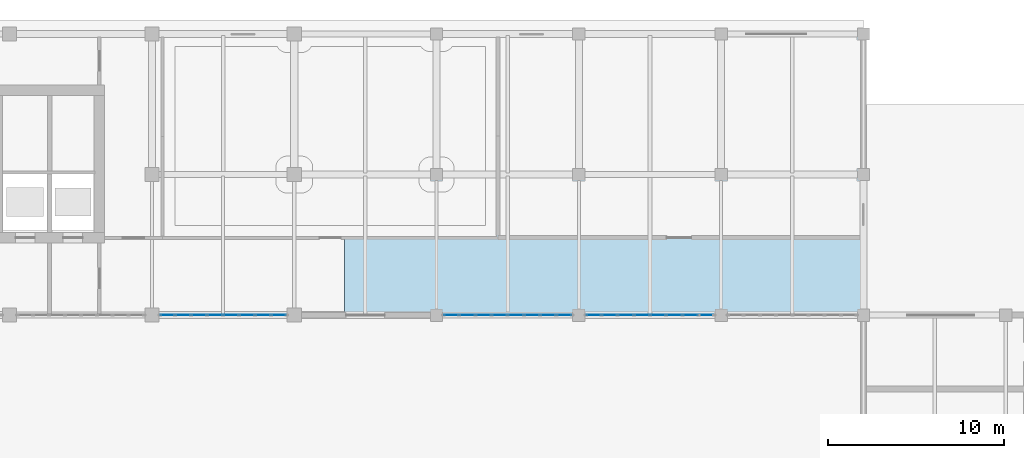
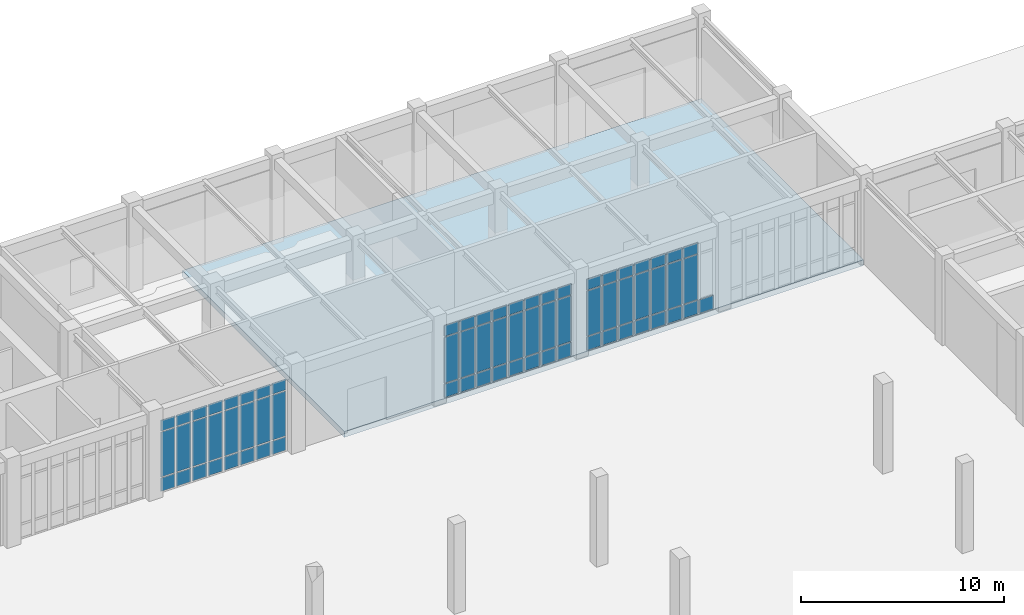
# One storey, part 38 of 62: 70 plates, 1 slab, 3 elements without a shape of their own.
"""IFC4 building model written with IfcOpenShell, lengths in metres."""

from ifc_helpers import new_model, si_unit, direction, frame, origin, origin_2d, place, context, subcontext, project, spatial, polyline, rectangle, outline, extrude, material, layer, layer_set, type_object, element, aggregate, save


model = new_model("IFC4")

# Units and contexts
model_context = context("Model", 3, precision=1e-05, world=origin(), true_north=direction((0.0, 1.0)))
body_context = subcontext(model_context, "Body", "Model", "MODEL_VIEW")
ifc_project = project(units=[si_unit("LENGTHUNIT", "METRE"), si_unit("AREAUNIT", "SQUARE_METRE"), si_unit("VOLUMEUNIT", "CUBIC_METRE"), si_unit("PLANEANGLEUNIT", "RADIAN"), si_unit("MASSUNIT", "GRAM", prefix="KILO")], contexts=[model_context])

# Site, building, storey
site_placement = place(None, origin())
site = spatial("IfcSite", under=ifc_project, at=site_placement, CompositionType="ELEMENT")
building_placement = place(site_placement, origin())
building = spatial("IfcBuilding", under=site, at=building_placement, Name="Tarnveldt Square Police Headquarters", CompositionType="ELEMENT")
storey_placement = place(building_placement, origin())
storey = spatial("IfcBuildingStorey", under=building, at=storey_placement, Name="L00", CompositionType="ELEMENT", Elevation=0.0)

# Curtain wall, plates
ifc_material_1 = material(Name="Triple-glazed low-e laminated vision glass", Category="glass")
curtain_wall_type_1 = type_object("IfcCurtainWallType", Name="CW-LB-727x441", PredefinedType="USERDEFINED", material=ifc_material_1)
curtain_wall_1_placement = place(storey_placement, origin())
curtain_wall_1 = element("IfcCurtainWall", 1, at=curtain_wall_1_placement, inside=storey, type_object=curtain_wall_type_1, Name="L00 Curtain Wall CW-L00-101", ObjectType="GLAZED CURTAIN WALL", PredefinedType="USERDEFINED")
ifc_layer_1 = layer(ifc_material_1, 0.028076171875)
ifc_layer_set_1 = layer_set([ifc_layer_1], Name="Triple-glazed low-e laminated vision glass")
plate_type = type_object("IfcPlateType", Name="CWP-VIS-28", PredefinedType="CURTAIN_PANEL", material=ifc_layer_set_1)
plate_1_placement = place(storey_placement, frame((65.688232421875, 96.0, 0.06494140625), z_axis=(0.0, 0.0, 1.0), x_axis=(1.0, 0.0, 0.0)))
plate_1 = element("IfcPlate", 2, at=plate_1_placement, type_object=plate_type, Name="CW-LB56 panel 1.1", PredefinedType="CURTAIN_PANEL", context=body_context, shape_type="SweptSolid", body=[
    extrude(rectangle(XDim=0.796142578125, YDim=0.028076171875, at=origin_2d()), origin(), (0.0, 0.0, 1.0), 0.802490234375),
])
plate_2_placement = place(storey_placement, frame((65.688232421875, 96.0, 0.9326171875), z_axis=(0.0, 0.0, 1.0), x_axis=(1.0, 0.0, 0.0)))
plate_2 = element("IfcPlate", 3, at=plate_2_placement, type_object=plate_type, Name="CW-LB56 panel 1.2", PredefinedType="CURTAIN_PANEL", context=body_context, shape_type="SweptSolid", body=[
    extrude(rectangle(XDim=0.796142578125, YDim=0.028076171875, at=origin_2d()), origin(), (0.0, 0.0, 1.0), 2.697021484375),
])
plate_3_placement = place(storey_placement, frame((65.688232421875, 96.0, 3.6943359375), z_axis=(0.0, 0.0, 1.0), x_axis=(1.0, 0.0, 0.0)))
plate_3 = element("IfcPlate", 4, at=plate_3_placement, type_object=plate_type, Name="CW-LB56 panel 1.3", PredefinedType="CURTAIN_PANEL", context=body_context, shape_type="SweptSolid", body=[
    extrude(rectangle(XDim=0.796142578125, YDim=0.028076171875, at=origin_2d()), origin(), (0.0, 0.0, 1.0), 0.652587890625),
])
plate_4_placement = place(storey_placement, frame((66.578125, 96.0, 0.06494140625), z_axis=(0.0, 0.0, 1.0), x_axis=(1.0, 0.0, 0.0)))
plate_4 = element("IfcPlate", 5, at=plate_4_placement, type_object=plate_type, Name="CW-LB56 panel 2.1", PredefinedType="CURTAIN_PANEL", context=body_context, shape_type="SweptSolid", body=[
    extrude(rectangle(XDim=0.833740234375, YDim=0.028076171875, at=origin_2d()), origin(), (0.0, 0.0, 1.0), 0.802490234375),
])
plate_5_placement = place(storey_placement, frame((66.578125, 96.0, 0.9326171875), z_axis=(0.0, 0.0, 1.0), x_axis=(1.0, 0.0, 0.0)))
plate_5 = element("IfcPlate", 6, at=plate_5_placement, type_object=plate_type, Name="CW-LB56 panel 2.2", PredefinedType="CURTAIN_PANEL", context=body_context, shape_type="SweptSolid", body=[
    extrude(rectangle(XDim=0.833740234375, YDim=0.028076171875, at=origin_2d()), origin(), (0.0, 0.0, 1.0), 2.697021484375),
])
plate_6_placement = place(storey_placement, frame((66.578125, 96.0, 3.6943359375), z_axis=(0.0, 0.0, 1.0), x_axis=(1.0, 0.0, 0.0)))
plate_6 = element("IfcPlate", 7, at=plate_6_placement, type_object=plate_type, Name="CW-LB56 panel 2.3", PredefinedType="CURTAIN_PANEL", context=body_context, shape_type="SweptSolid", body=[
    extrude(rectangle(XDim=0.833740234375, YDim=0.028076171875, at=origin_2d()), origin(), (0.0, 0.0, 1.0), 0.652587890625),
])
plate_7_placement = place(storey_placement, frame((67.48681640625, 96.0, 0.06494140625), z_axis=(0.0, 0.0, 1.0), x_axis=(1.0, 0.0, 0.0)))
plate_7 = element("IfcPlate", 8, at=plate_7_placement, type_object=plate_type, Name="CW-LB56 panel 3.1", PredefinedType="CURTAIN_PANEL", context=body_context, shape_type="SweptSolid", body=[
    extrude(rectangle(XDim=0.833740234375, YDim=0.028076171875, at=origin_2d()), origin(), (0.0, 0.0, 1.0), 0.802490234375),
])
plate_8_placement = place(storey_placement, frame((67.48681640625, 96.0, 0.9326171875), z_axis=(0.0, 0.0, 1.0), x_axis=(1.0, 0.0, 0.0)))
plate_8 = element("IfcPlate", 9, at=plate_8_placement, type_object=plate_type, Name="CW-LB56 panel 3.2", PredefinedType="CURTAIN_PANEL", context=body_context, shape_type="SweptSolid", body=[
    extrude(rectangle(XDim=0.833740234375, YDim=0.028076171875, at=origin_2d()), origin(), (0.0, 0.0, 1.0), 2.697021484375),
])
plate_9_placement = place(storey_placement, frame((67.48681640625, 96.0, 3.6943359375), z_axis=(0.0, 0.0, 1.0), x_axis=(1.0, 0.0, 0.0)))
plate_9 = element("IfcPlate", 10, at=plate_9_placement, type_object=plate_type, Name="CW-LB56 panel 3.3", PredefinedType="CURTAIN_PANEL", context=body_context, shape_type="SweptSolid", body=[
    extrude(rectangle(XDim=0.833740234375, YDim=0.028076171875, at=origin_2d()), origin(), (0.0, 0.0, 1.0), 0.652587890625),
])
plate_10_placement = place(storey_placement, frame((68.3955078125, 96.0, 0.06494140625), z_axis=(0.0, 0.0, 1.0), x_axis=(1.0, 0.0, 0.0)))
plate_10 = element("IfcPlate", 11, at=plate_10_placement, type_object=plate_type, Name="CW-LB56 panel 4.1", PredefinedType="CURTAIN_PANEL", context=body_context, shape_type="SweptSolid", body=[
    extrude(rectangle(XDim=0.833740234375, YDim=0.028076171875, at=origin_2d()), origin(), (0.0, 0.0, 1.0), 0.802490234375),
])
plate_11_placement = place(storey_placement, frame((68.3955078125, 96.0, 0.9326171875), z_axis=(0.0, 0.0, 1.0), x_axis=(1.0, 0.0, 0.0)))
plate_11 = element("IfcPlate", 12, at=plate_11_placement, type_object=plate_type, Name="CW-LB56 panel 4.2", PredefinedType="CURTAIN_PANEL", context=body_context, shape_type="SweptSolid", body=[
    extrude(rectangle(XDim=0.833740234375, YDim=0.028076171875, at=origin_2d()), origin(), (0.0, 0.0, 1.0), 2.697021484375),
])
plate_12_placement = place(storey_placement, frame((68.3955078125, 96.0, 3.6943359375), z_axis=(0.0, 0.0, 1.0), x_axis=(1.0, 0.0, 0.0)))
plate_12 = element("IfcPlate", 13, at=plate_12_placement, type_object=plate_type, Name="CW-LB56 panel 4.3", PredefinedType="CURTAIN_PANEL", context=body_context, shape_type="SweptSolid", body=[
    extrude(rectangle(XDim=0.833740234375, YDim=0.028076171875, at=origin_2d()), origin(), (0.0, 0.0, 1.0), 0.652587890625),
])
plate_13_placement = place(storey_placement, frame((69.304443359375, 96.0, 0.06494140625), z_axis=(0.0, 0.0, 1.0), x_axis=(1.0, 0.0, 0.0)))
plate_13 = element("IfcPlate", 14, at=plate_13_placement, type_object=plate_type, Name="CW-LB56 panel 5.1", PredefinedType="CURTAIN_PANEL", context=body_context, shape_type="SweptSolid", body=[
    extrude(rectangle(XDim=0.833740234375, YDim=0.028076171875, at=origin_2d()), origin(), (0.0, 0.0, 1.0), 0.802490234375),
])
plate_14_placement = place(storey_placement, frame((69.304443359375, 96.0, 0.9326171875), z_axis=(0.0, 0.0, 1.0), x_axis=(1.0, 0.0, 0.0)))
plate_14 = element("IfcPlate", 15, at=plate_14_placement, type_object=plate_type, Name="CW-LB56 panel 5.2", PredefinedType="CURTAIN_PANEL", context=body_context, shape_type="SweptSolid", body=[
    extrude(rectangle(XDim=0.833740234375, YDim=0.028076171875, at=origin_2d()), origin(), (0.0, 0.0, 1.0), 2.697021484375),
])
plate_15_placement = place(storey_placement, frame((69.304443359375, 96.0, 3.6943359375), z_axis=(0.0, 0.0, 1.0), x_axis=(1.0, 0.0, 0.0)))
plate_15 = element("IfcPlate", 16, at=plate_15_placement, type_object=plate_type, Name="CW-LB56 panel 5.3", PredefinedType="CURTAIN_PANEL", context=body_context, shape_type="SweptSolid", body=[
    extrude(rectangle(XDim=0.833740234375, YDim=0.028076171875, at=origin_2d()), origin(), (0.0, 0.0, 1.0), 0.652587890625),
])
plate_16_placement = place(storey_placement, frame((70.213134765625, 96.0, 0.06494140625), z_axis=(0.0, 0.0, 1.0), x_axis=(1.0, 0.0, 0.0)))
plate_16 = element("IfcPlate", 17, at=plate_16_placement, type_object=plate_type, Name="CW-LB56 panel 6.1", PredefinedType="CURTAIN_PANEL", context=body_context, shape_type="SweptSolid", body=[
    extrude(rectangle(XDim=0.833740234375, YDim=0.028076171875, at=origin_2d()), origin(), (0.0, 0.0, 1.0), 0.802490234375),
])
plate_17_placement = place(storey_placement, frame((70.213134765625, 96.0, 0.9326171875), z_axis=(0.0, 0.0, 1.0), x_axis=(1.0, 0.0, 0.0)))
plate_17 = element("IfcPlate", 18, at=plate_17_placement, type_object=plate_type, Name="CW-LB56 panel 6.2", PredefinedType="CURTAIN_PANEL", context=body_context, shape_type="SweptSolid", body=[
    extrude(rectangle(XDim=0.833740234375, YDim=0.028076171875, at=origin_2d()), origin(), (0.0, 0.0, 1.0), 2.697021484375),
])
plate_18_placement = place(storey_placement, frame((70.213134765625, 96.0, 3.6943359375), z_axis=(0.0, 0.0, 1.0), x_axis=(1.0, 0.0, 0.0)))
plate_18 = element("IfcPlate", 19, at=plate_18_placement, type_object=plate_type, Name="CW-LB56 panel 6.3", PredefinedType="CURTAIN_PANEL", context=body_context, shape_type="SweptSolid", body=[
    extrude(rectangle(XDim=0.833740234375, YDim=0.028076171875, at=origin_2d()), origin(), (0.0, 0.0, 1.0), 0.652587890625),
])
plate_19_placement = place(storey_placement, frame((71.121826171875, 96.0, 0.06494140625), z_axis=(0.0, 0.0, 1.0), x_axis=(1.0, 0.0, 0.0)))
plate_19 = element("IfcPlate", 20, at=plate_19_placement, type_object=plate_type, Name="CW-LB56 panel 7.1", PredefinedType="CURTAIN_PANEL", context=body_context, shape_type="SweptSolid", body=[
    extrude(rectangle(XDim=0.833740234375, YDim=0.028076171875, at=origin_2d()), origin(), (0.0, 0.0, 1.0), 0.802490234375),
])
plate_20_placement = place(storey_placement, frame((71.121826171875, 96.0, 0.9326171875), z_axis=(0.0, 0.0, 1.0), x_axis=(1.0, 0.0, 0.0)))
plate_20 = element("IfcPlate", 21, at=plate_20_placement, type_object=plate_type, Name="CW-LB56 panel 7.2", PredefinedType="CURTAIN_PANEL", context=body_context, shape_type="SweptSolid", body=[
    extrude(rectangle(XDim=0.833740234375, YDim=0.028076171875, at=origin_2d()), origin(), (0.0, 0.0, 1.0), 2.697021484375),
])
plate_21_placement = place(storey_placement, frame((71.121826171875, 96.0, 3.6943359375), z_axis=(0.0, 0.0, 1.0), x_axis=(1.0, 0.0, 0.0)))
plate_21 = element("IfcPlate", 22, at=plate_21_placement, type_object=plate_type, Name="CW-LB56 panel 7.3", PredefinedType="CURTAIN_PANEL", context=body_context, shape_type="SweptSolid", body=[
    extrude(rectangle(XDim=0.833740234375, YDim=0.028076171875, at=origin_2d()), origin(), (0.0, 0.0, 1.0), 0.652587890625),
])
plate_22_placement = place(storey_placement, frame((72.011962890625, 96.0, 0.06494140625), z_axis=(0.0, 0.0, 1.0), x_axis=(1.0, 0.0, 0.0)))
plate_22 = element("IfcPlate", 23, at=plate_22_placement, type_object=plate_type, Name="CW-LB56 panel 8.1", PredefinedType="CURTAIN_PANEL", context=body_context, shape_type="SweptSolid", body=[
    extrude(rectangle(XDim=0.796142578125, YDim=0.028076171875, at=origin_2d()), origin(), (0.0, 0.0, 1.0), 0.802490234375),
])
plate_23_placement = place(storey_placement, frame((72.011962890625, 96.0, 0.9326171875), z_axis=(0.0, 0.0, 1.0), x_axis=(1.0, 0.0, 0.0)))
plate_23 = element("IfcPlate", 24, at=plate_23_placement, type_object=plate_type, Name="CW-LB56 panel 8.2", PredefinedType="CURTAIN_PANEL", context=body_context, shape_type="SweptSolid", body=[
    extrude(rectangle(XDim=0.796142578125, YDim=0.028076171875, at=origin_2d()), origin(), (0.0, 0.0, 1.0), 2.697021484375),
])
plate_24_placement = place(storey_placement, frame((72.011962890625, 96.0, 3.6943359375), z_axis=(0.0, 0.0, 1.0), x_axis=(1.0, 0.0, 0.0)))
plate_24 = element("IfcPlate", 25, at=plate_24_placement, type_object=plate_type, Name="CW-LB56 panel 8.3", PredefinedType="CURTAIN_PANEL", context=body_context, shape_type="SweptSolid", body=[
    extrude(rectangle(XDim=0.796142578125, YDim=0.028076171875, at=origin_2d()), origin(), (0.0, 0.0, 1.0), 0.652587890625),
])
aggregate(curtain_wall_1, [plate_1, plate_2, plate_3, plate_4, plate_5, plate_6, plate_7, plate_8, plate_9, plate_10, plate_11, plate_12, plate_13, plate_14, plate_15, plate_16, plate_17, plate_18, plate_19, plate_20, plate_21, plate_22, plate_23, plate_24])

curtain_wall_type_2 = type_object("IfcCurtainWallType", Name="CW-LB-737x446", PredefinedType="USERDEFINED", material=ifc_material_1)
curtain_wall_2_placement = place(storey_placement, origin())
curtain_wall_2 = element("IfcCurtainWall", 26, at=curtain_wall_2_placement, inside=storey, type_object=curtain_wall_type_2, Name="L00 Curtain Wall CW-L00-102", ObjectType="GLAZED CURTAIN WALL", PredefinedType="USERDEFINED")
plate_25_placement = place(storey_placement, frame((81.844482421875, 96.0, 0.06494140625), z_axis=(0.0, 0.0, 1.0), x_axis=(1.0, 0.0, 0.0)))
plate_25 = element("IfcPlate", 27, at=plate_25_placement, type_object=plate_type, Name="CW-LB58 panel 1.1", PredefinedType="CURTAIN_PANEL", context=body_context, shape_type="SweptSolid", body=[
    extrude(rectangle(XDim=0.808837890625, YDim=0.028076171875, at=origin_2d()), origin(), (0.0, 0.0, 1.0), 0.802490234375),
])
plate_26_placement = place(storey_placement, frame((81.844482421875, 96.0, 0.932373046875), z_axis=(0.0, 0.0, 1.0), x_axis=(1.0, 0.0, 0.0)))
plate_26 = element("IfcPlate", 28, at=plate_26_placement, type_object=plate_type, Name="CW-LB58 panel 1.2", PredefinedType="CURTAIN_PANEL", context=body_context, shape_type="SweptSolid", body=[
    extrude(rectangle(XDim=0.808837890625, YDim=0.028076171875, at=origin_2d()), origin(), (0.0, 0.0, 1.0), 2.7470703125),
])
plate_27_placement = place(storey_placement, frame((81.844482421875, 96.0, 3.74462890625), z_axis=(0.0, 0.0, 1.0), x_axis=(1.0, 0.0, 0.0)))
plate_27 = element("IfcPlate", 29, at=plate_27_placement, type_object=plate_type, Name="CW-LB58 panel 1.3", PredefinedType="CURTAIN_PANEL", context=body_context, shape_type="SweptSolid", body=[
    extrude(rectangle(XDim=0.808837890625, YDim=0.028076171875, at=origin_2d()), origin(), (0.0, 0.0, 1.0), 0.652587890625),
])
plate_28_placement = place(storey_placement, frame((82.746826171875, 96.0, 0.06494140625), z_axis=(0.0, 0.0, 1.0), x_axis=(1.0, 0.0, 0.0)))
plate_28 = element("IfcPlate", 30, at=plate_28_placement, type_object=plate_type, Name="CW-LB58 panel 2.1", PredefinedType="CURTAIN_PANEL", context=body_context, shape_type="SweptSolid", body=[
    extrude(rectangle(XDim=0.84619140625, YDim=0.028076171875, at=origin_2d()), origin(), (0.0, 0.0, 1.0), 0.802490234375),
])
plate_29_placement = place(storey_placement, frame((82.746826171875, 96.0, 0.932373046875), z_axis=(0.0, 0.0, 1.0), x_axis=(1.0, 0.0, 0.0)))
plate_29 = element("IfcPlate", 31, at=plate_29_placement, type_object=plate_type, Name="CW-LB58 panel 2.2", PredefinedType="CURTAIN_PANEL", context=body_context, shape_type="SweptSolid", body=[
    extrude(rectangle(XDim=0.84619140625, YDim=0.028076171875, at=origin_2d()), origin(), (0.0, 0.0, 1.0), 2.7470703125),
])
plate_30_placement = place(storey_placement, frame((82.746826171875, 96.0, 3.74462890625), z_axis=(0.0, 0.0, 1.0), x_axis=(1.0, 0.0, 0.0)))
plate_30 = element("IfcPlate", 32, at=plate_30_placement, type_object=plate_type, Name="CW-LB58 panel 2.3", PredefinedType="CURTAIN_PANEL", context=body_context, shape_type="SweptSolid", body=[
    extrude(rectangle(XDim=0.84619140625, YDim=0.028076171875, at=origin_2d()), origin(), (0.0, 0.0, 1.0), 0.652587890625),
])
plate_31_placement = place(storey_placement, frame((83.668212890625, 96.0, 0.06494140625), z_axis=(0.0, 0.0, 1.0), x_axis=(1.0, 0.0, 0.0)))
plate_31 = element("IfcPlate", 33, at=plate_31_placement, type_object=plate_type, Name="CW-LB58 panel 3.1", PredefinedType="CURTAIN_PANEL", context=body_context, shape_type="SweptSolid", body=[
    extrude(rectangle(XDim=0.84619140625, YDim=0.028076171875, at=origin_2d()), origin(), (0.0, 0.0, 1.0), 0.802490234375),
])
plate_32_placement = place(storey_placement, frame((83.668212890625, 96.0, 0.932373046875), z_axis=(0.0, 0.0, 1.0), x_axis=(1.0, 0.0, 0.0)))
plate_32 = element("IfcPlate", 34, at=plate_32_placement, type_object=plate_type, Name="CW-LB58 panel 3.2", PredefinedType="CURTAIN_PANEL", context=body_context, shape_type="SweptSolid", body=[
    extrude(rectangle(XDim=0.84619140625, YDim=0.028076171875, at=origin_2d()), origin(), (0.0, 0.0, 1.0), 2.7470703125),
])
plate_33_placement = place(storey_placement, frame((83.668212890625, 96.0, 3.74462890625), z_axis=(0.0, 0.0, 1.0), x_axis=(1.0, 0.0, 0.0)))
plate_33 = element("IfcPlate", 35, at=plate_33_placement, type_object=plate_type, Name="CW-LB58 panel 3.3", PredefinedType="CURTAIN_PANEL", context=body_context, shape_type="SweptSolid", body=[
    extrude(rectangle(XDim=0.84619140625, YDim=0.028076171875, at=origin_2d()), origin(), (0.0, 0.0, 1.0), 0.652587890625),
])
plate_34_placement = place(storey_placement, frame((84.58935546875, 96.0, 0.06494140625), z_axis=(0.0, 0.0, 1.0), x_axis=(1.0, 0.0, 0.0)))
plate_34 = element("IfcPlate", 36, at=plate_34_placement, type_object=plate_type, Name="CW-LB58 panel 4.1", PredefinedType="CURTAIN_PANEL", context=body_context, shape_type="SweptSolid", body=[
    extrude(rectangle(XDim=0.84619140625, YDim=0.028076171875, at=origin_2d()), origin(), (0.0, 0.0, 1.0), 0.802490234375),
])
plate_35_placement = place(storey_placement, frame((84.58935546875, 96.0, 0.932373046875), z_axis=(0.0, 0.0, 1.0), x_axis=(1.0, 0.0, 0.0)))
plate_35 = element("IfcPlate", 37, at=plate_35_placement, type_object=plate_type, Name="CW-LB58 panel 4.2", PredefinedType="CURTAIN_PANEL", context=body_context, shape_type="SweptSolid", body=[
    extrude(rectangle(XDim=0.84619140625, YDim=0.028076171875, at=origin_2d()), origin(), (0.0, 0.0, 1.0), 2.7470703125),
])
plate_36_placement = place(storey_placement, frame((84.58935546875, 96.0, 3.74462890625), z_axis=(0.0, 0.0, 1.0), x_axis=(1.0, 0.0, 0.0)))
plate_36 = element("IfcPlate", 38, at=plate_36_placement, type_object=plate_type, Name="CW-LB58 panel 4.3", PredefinedType="CURTAIN_PANEL", context=body_context, shape_type="SweptSolid", body=[
    extrude(rectangle(XDim=0.84619140625, YDim=0.028076171875, at=origin_2d()), origin(), (0.0, 0.0, 1.0), 0.652587890625),
])
plate_37_placement = place(storey_placement, frame((85.5107421875, 96.0, 0.06494140625), z_axis=(0.0, 0.0, 1.0), x_axis=(1.0, 0.0, 0.0)))
plate_37 = element("IfcPlate", 39, at=plate_37_placement, type_object=plate_type, Name="CW-LB58 panel 5.1", PredefinedType="CURTAIN_PANEL", context=body_context, shape_type="SweptSolid", body=[
    extrude(rectangle(XDim=0.84619140625, YDim=0.028076171875, at=origin_2d()), origin(), (0.0, 0.0, 1.0), 0.802490234375),
])
plate_38_placement = place(storey_placement, frame((85.5107421875, 96.0, 0.932373046875), z_axis=(0.0, 0.0, 1.0), x_axis=(1.0, 0.0, 0.0)))
plate_38 = element("IfcPlate", 40, at=plate_38_placement, type_object=plate_type, Name="CW-LB58 panel 5.2", PredefinedType="CURTAIN_PANEL", context=body_context, shape_type="SweptSolid", body=[
    extrude(rectangle(XDim=0.84619140625, YDim=0.028076171875, at=origin_2d()), origin(), (0.0, 0.0, 1.0), 2.7470703125),
])
plate_39_placement = place(storey_placement, frame((85.5107421875, 96.0, 3.74462890625), z_axis=(0.0, 0.0, 1.0), x_axis=(1.0, 0.0, 0.0)))
plate_39 = element("IfcPlate", 41, at=plate_39_placement, type_object=plate_type, Name="CW-LB58 panel 5.3", PredefinedType="CURTAIN_PANEL", context=body_context, shape_type="SweptSolid", body=[
    extrude(rectangle(XDim=0.84619140625, YDim=0.028076171875, at=origin_2d()), origin(), (0.0, 0.0, 1.0), 0.652587890625),
])
plate_40_placement = place(storey_placement, frame((86.431884765625, 96.0, 0.06494140625), z_axis=(0.0, 0.0, 1.0), x_axis=(1.0, 0.0, 0.0)))
plate_40 = element("IfcPlate", 42, at=plate_40_placement, type_object=plate_type, Name="CW-LB58 panel 6.1", PredefinedType="CURTAIN_PANEL", context=body_context, shape_type="SweptSolid", body=[
    extrude(rectangle(XDim=0.84619140625, YDim=0.028076171875, at=origin_2d()), origin(), (0.0, 0.0, 1.0), 0.802490234375),
])
plate_41_placement = place(storey_placement, frame((86.431884765625, 96.0, 0.932373046875), z_axis=(0.0, 0.0, 1.0), x_axis=(1.0, 0.0, 0.0)))
plate_41 = element("IfcPlate", 43, at=plate_41_placement, type_object=plate_type, Name="CW-LB58 panel 6.2", PredefinedType="CURTAIN_PANEL", context=body_context, shape_type="SweptSolid", body=[
    extrude(rectangle(XDim=0.84619140625, YDim=0.028076171875, at=origin_2d()), origin(), (0.0, 0.0, 1.0), 2.7470703125),
])
plate_42_placement = place(storey_placement, frame((86.431884765625, 96.0, 3.74462890625), z_axis=(0.0, 0.0, 1.0), x_axis=(1.0, 0.0, 0.0)))
plate_42 = element("IfcPlate", 44, at=plate_42_placement, type_object=plate_type, Name="CW-LB58 panel 6.3", PredefinedType="CURTAIN_PANEL", context=body_context, shape_type="SweptSolid", body=[
    extrude(rectangle(XDim=0.84619140625, YDim=0.028076171875, at=origin_2d()), origin(), (0.0, 0.0, 1.0), 0.652587890625),
])
plate_43_placement = place(storey_placement, frame((87.35302734375, 96.0, 0.06494140625), z_axis=(0.0, 0.0, 1.0), x_axis=(1.0, 0.0, 0.0)))
plate_43 = element("IfcPlate", 45, at=plate_43_placement, type_object=plate_type, Name="CW-LB58 panel 7.1", PredefinedType="CURTAIN_PANEL", context=body_context, shape_type="SweptSolid", body=[
    extrude(rectangle(XDim=0.84619140625, YDim=0.028076171875, at=origin_2d()), origin(), (0.0, 0.0, 1.0), 0.802490234375),
])
plate_44_placement = place(storey_placement, frame((87.35302734375, 96.0, 0.932373046875), z_axis=(0.0, 0.0, 1.0), x_axis=(1.0, 0.0, 0.0)))
plate_44 = element("IfcPlate", 46, at=plate_44_placement, type_object=plate_type, Name="CW-LB58 panel 7.2", PredefinedType="CURTAIN_PANEL", context=body_context, shape_type="SweptSolid", body=[
    extrude(rectangle(XDim=0.84619140625, YDim=0.028076171875, at=origin_2d()), origin(), (0.0, 0.0, 1.0), 2.7470703125),
])
plate_45_placement = place(storey_placement, frame((87.35302734375, 96.0, 3.74462890625), z_axis=(0.0, 0.0, 1.0), x_axis=(1.0, 0.0, 0.0)))
plate_45 = element("IfcPlate", 47, at=plate_45_placement, type_object=plate_type, Name="CW-LB58 panel 7.3", PredefinedType="CURTAIN_PANEL", context=body_context, shape_type="SweptSolid", body=[
    extrude(rectangle(XDim=0.84619140625, YDim=0.028076171875, at=origin_2d()), origin(), (0.0, 0.0, 1.0), 0.652587890625),
])
plate_46_placement = place(storey_placement, frame((88.255615234375, 96.0, 0.06494140625), z_axis=(0.0, 0.0, 1.0), x_axis=(1.0, 0.0, 0.0)))
plate_46 = element("IfcPlate", 48, at=plate_46_placement, type_object=plate_type, Name="CW-LB58 panel 8.1", PredefinedType="CURTAIN_PANEL", context=body_context, shape_type="SweptSolid", body=[
    extrude(rectangle(XDim=0.808837890625, YDim=0.028076171875, at=origin_2d()), origin(), (0.0, 0.0, 1.0), 0.802490234375),
])
plate_47_placement = place(storey_placement, frame((88.255615234375, 96.0, 0.932373046875), z_axis=(0.0, 0.0, 1.0), x_axis=(1.0, 0.0, 0.0)))
plate_47 = element("IfcPlate", 49, at=plate_47_placement, type_object=plate_type, Name="CW-LB58 panel 8.2", PredefinedType="CURTAIN_PANEL", context=body_context, shape_type="SweptSolid", body=[
    extrude(rectangle(XDim=0.808837890625, YDim=0.028076171875, at=origin_2d()), origin(), (0.0, 0.0, 1.0), 2.7470703125),
])
plate_48_placement = place(storey_placement, frame((88.255615234375, 96.0, 3.74462890625), z_axis=(0.0, 0.0, 1.0), x_axis=(1.0, 0.0, 0.0)))
plate_48 = element("IfcPlate", 50, at=plate_48_placement, type_object=plate_type, Name="CW-LB58 panel 8.3", PredefinedType="CURTAIN_PANEL", context=body_context, shape_type="SweptSolid", body=[
    extrude(rectangle(XDim=0.808837890625, YDim=0.028076171875, at=origin_2d()), origin(), (0.0, 0.0, 1.0), 0.652587890625),
])
aggregate(curtain_wall_2, [plate_25, plate_26, plate_27, plate_28, plate_29, plate_30, plate_31, plate_32, plate_33, plate_34, plate_35, plate_36, plate_37, plate_38, plate_39, plate_40, plate_41, plate_42, plate_43, plate_44, plate_45, plate_46, plate_47, plate_48])

curtain_wall_type_3 = type_object("IfcCurtainWallType", Name="CW-LB-737x441", PredefinedType="USERDEFINED", material=ifc_material_1)
curtain_wall_3_placement = place(storey_placement, origin())
curtain_wall_3 = element("IfcCurtainWall", 51, at=curtain_wall_3_placement, inside=storey, type_object=curtain_wall_type_3, Name="L00 Curtain Wall CW-L00-103", ObjectType="GLAZED CURTAIN WALL", PredefinedType="USERDEFINED")
plate_49_placement = place(storey_placement, frame((89.9443359375, 96.0, 0.06494140625), z_axis=(0.0, 0.0, 1.0), x_axis=(1.0, 0.0, 0.0)))
plate_49 = element("IfcPlate", 52, at=plate_49_placement, type_object=plate_type, Name="CW-LB59 panel 1.1", PredefinedType="CURTAIN_PANEL", context=body_context, shape_type="SweptSolid", body=[
    extrude(rectangle(XDim=0.808837890625, YDim=0.028076171875, at=origin_2d()), origin(), (0.0, 0.0, 1.0), 0.802490234375),
])
plate_50_placement = place(storey_placement, frame((89.9443359375, 96.0, 0.9326171875), z_axis=(0.0, 0.0, 1.0), x_axis=(1.0, 0.0, 0.0)))
plate_50 = element("IfcPlate", 53, at=plate_50_placement, type_object=plate_type, Name="CW-LB59 panel 1.2", PredefinedType="CURTAIN_PANEL", context=body_context, shape_type="SweptSolid", body=[
    extrude(rectangle(XDim=0.808837890625, YDim=0.028076171875, at=origin_2d()), origin(), (0.0, 0.0, 1.0), 2.697021484375),
])
plate_51_placement = place(storey_placement, frame((89.9443359375, 96.0, 3.6943359375), z_axis=(0.0, 0.0, 1.0), x_axis=(1.0, 0.0, 0.0)))
plate_51 = element("IfcPlate", 54, at=plate_51_placement, type_object=plate_type, Name="CW-LB59 panel 1.3", PredefinedType="CURTAIN_PANEL", context=body_context, shape_type="SweptSolid", body=[
    extrude(rectangle(XDim=0.808837890625, YDim=0.028076171875, at=origin_2d()), origin(), (0.0, 0.0, 1.0), 0.652587890625),
])
plate_52_placement = place(storey_placement, frame((90.846923828125, 96.0, 0.06494140625), z_axis=(0.0, 0.0, 1.0), x_axis=(1.0, 0.0, 0.0)))
plate_52 = element("IfcPlate", 55, at=plate_52_placement, type_object=plate_type, Name="CW-LB59 panel 2.1", PredefinedType="CURTAIN_PANEL", context=body_context, shape_type="SweptSolid", body=[
    extrude(rectangle(XDim=0.84619140625, YDim=0.028076171875, at=origin_2d()), origin(), (0.0, 0.0, 1.0), 0.802490234375),
])
plate_53_placement = place(storey_placement, frame((90.846923828125, 96.0, 0.9326171875), z_axis=(0.0, 0.0, 1.0), x_axis=(1.0, 0.0, 0.0)))
plate_53 = element("IfcPlate", 56, at=plate_53_placement, type_object=plate_type, Name="CW-LB59 panel 2.2", PredefinedType="CURTAIN_PANEL", context=body_context, shape_type="SweptSolid", body=[
    extrude(rectangle(XDim=0.84619140625, YDim=0.028076171875, at=origin_2d()), origin(), (0.0, 0.0, 1.0), 2.697021484375),
])
plate_54_placement = place(storey_placement, frame((90.846923828125, 96.0, 3.6943359375), z_axis=(0.0, 0.0, 1.0), x_axis=(1.0, 0.0, 0.0)))
plate_54 = element("IfcPlate", 57, at=plate_54_placement, type_object=plate_type, Name="CW-LB59 panel 2.3", PredefinedType="CURTAIN_PANEL", context=body_context, shape_type="SweptSolid", body=[
    extrude(rectangle(XDim=0.84619140625, YDim=0.028076171875, at=origin_2d()), origin(), (0.0, 0.0, 1.0), 0.652587890625),
])
plate_55_placement = place(storey_placement, frame((91.76806640625, 96.0, 0.06494140625), z_axis=(0.0, 0.0, 1.0), x_axis=(1.0, 0.0, 0.0)))
plate_55 = element("IfcPlate", 58, at=plate_55_placement, type_object=plate_type, Name="CW-LB59 panel 3.1", PredefinedType="CURTAIN_PANEL", context=body_context, shape_type="SweptSolid", body=[
    extrude(rectangle(XDim=0.84619140625, YDim=0.028076171875, at=origin_2d()), origin(), (0.0, 0.0, 1.0), 0.802490234375),
])
plate_56_placement = place(storey_placement, frame((91.76806640625, 96.0, 0.9326171875), z_axis=(0.0, 0.0, 1.0), x_axis=(1.0, 0.0, 0.0)))
plate_56 = element("IfcPlate", 59, at=plate_56_placement, type_object=plate_type, Name="CW-LB59 panel 3.2", PredefinedType="CURTAIN_PANEL", context=body_context, shape_type="SweptSolid", body=[
    extrude(rectangle(XDim=0.84619140625, YDim=0.028076171875, at=origin_2d()), origin(), (0.0, 0.0, 1.0), 2.697021484375),
])
plate_57_placement = place(storey_placement, frame((91.76806640625, 96.0, 3.6943359375), z_axis=(0.0, 0.0, 1.0), x_axis=(1.0, 0.0, 0.0)))
plate_57 = element("IfcPlate", 60, at=plate_57_placement, type_object=plate_type, Name="CW-LB59 panel 3.3", PredefinedType="CURTAIN_PANEL", context=body_context, shape_type="SweptSolid", body=[
    extrude(rectangle(XDim=0.84619140625, YDim=0.028076171875, at=origin_2d()), origin(), (0.0, 0.0, 1.0), 0.652587890625),
])
plate_58_placement = place(storey_placement, frame((92.689453125, 96.0, 0.06494140625), z_axis=(0.0, 0.0, 1.0), x_axis=(1.0, 0.0, 0.0)))
plate_58 = element("IfcPlate", 61, at=plate_58_placement, type_object=plate_type, Name="CW-LB59 panel 4.1", PredefinedType="CURTAIN_PANEL", context=body_context, shape_type="SweptSolid", body=[
    extrude(rectangle(XDim=0.84619140625, YDim=0.028076171875, at=origin_2d()), origin(), (0.0, 0.0, 1.0), 0.802490234375),
])
plate_59_placement = place(storey_placement, frame((92.689453125, 96.0, 0.9326171875), z_axis=(0.0, 0.0, 1.0), x_axis=(1.0, 0.0, 0.0)))
plate_59 = element("IfcPlate", 62, at=plate_59_placement, type_object=plate_type, Name="CW-LB59 panel 4.2", PredefinedType="CURTAIN_PANEL", context=body_context, shape_type="SweptSolid", body=[
    extrude(rectangle(XDim=0.84619140625, YDim=0.028076171875, at=origin_2d()), origin(), (0.0, 0.0, 1.0), 2.697021484375),
])
plate_60_placement = place(storey_placement, frame((92.689453125, 96.0, 3.6943359375), z_axis=(0.0, 0.0, 1.0), x_axis=(1.0, 0.0, 0.0)))
plate_60 = element("IfcPlate", 63, at=plate_60_placement, type_object=plate_type, Name="CW-LB59 panel 4.3", PredefinedType="CURTAIN_PANEL", context=body_context, shape_type="SweptSolid", body=[
    extrude(rectangle(XDim=0.84619140625, YDim=0.028076171875, at=origin_2d()), origin(), (0.0, 0.0, 1.0), 0.652587890625),
])
plate_61_placement = place(storey_placement, frame((93.610595703125, 96.0, 0.06494140625), z_axis=(0.0, 0.0, 1.0), x_axis=(1.0, 0.0, 0.0)))
plate_61 = element("IfcPlate", 64, at=plate_61_placement, type_object=plate_type, Name="CW-LB59 panel 5.1", PredefinedType="CURTAIN_PANEL", context=body_context, shape_type="SweptSolid", body=[
    extrude(rectangle(XDim=0.84619140625, YDim=0.028076171875, at=origin_2d()), origin(), (0.0, 0.0, 1.0), 0.802490234375),
])
plate_62_placement = place(storey_placement, frame((93.610595703125, 96.0, 0.9326171875), z_axis=(0.0, 0.0, 1.0), x_axis=(1.0, 0.0, 0.0)))
plate_62 = element("IfcPlate", 65, at=plate_62_placement, type_object=plate_type, Name="CW-LB59 panel 5.2", PredefinedType="CURTAIN_PANEL", context=body_context, shape_type="SweptSolid", body=[
    extrude(rectangle(XDim=0.84619140625, YDim=0.028076171875, at=origin_2d()), origin(), (0.0, 0.0, 1.0), 2.697021484375),
])
plate_63_placement = place(storey_placement, frame((93.610595703125, 96.0, 3.6943359375), z_axis=(0.0, 0.0, 1.0), x_axis=(1.0, 0.0, 0.0)))
plate_63 = element("IfcPlate", 66, at=plate_63_placement, type_object=plate_type, Name="CW-LB59 panel 5.3", PredefinedType="CURTAIN_PANEL", context=body_context, shape_type="SweptSolid", body=[
    extrude(rectangle(XDim=0.84619140625, YDim=0.028076171875, at=origin_2d()), origin(), (0.0, 0.0, 1.0), 0.652587890625),
])
plate_64_placement = place(storey_placement, frame((94.531982421875, 96.0, 0.06494140625), z_axis=(0.0, 0.0, 1.0), x_axis=(1.0, 0.0, 0.0)))
plate_64 = element("IfcPlate", 67, at=plate_64_placement, type_object=plate_type, Name="CW-LB59 panel 6.1", PredefinedType="CURTAIN_PANEL", context=body_context, shape_type="SweptSolid", body=[
    extrude(rectangle(XDim=0.84619140625, YDim=0.028076171875, at=origin_2d()), origin(), (0.0, 0.0, 1.0), 0.802490234375),
])
plate_65_placement = place(storey_placement, frame((94.531982421875, 96.0, 0.9326171875), z_axis=(0.0, 0.0, 1.0), x_axis=(1.0, 0.0, 0.0)))
plate_65 = element("IfcPlate", 68, at=plate_65_placement, type_object=plate_type, Name="CW-LB59 panel 6.2", PredefinedType="CURTAIN_PANEL", context=body_context, shape_type="SweptSolid", body=[
    extrude(rectangle(XDim=0.84619140625, YDim=0.028076171875, at=origin_2d()), origin(), (0.0, 0.0, 1.0), 2.697021484375),
])
plate_66_placement = place(storey_placement, frame((94.531982421875, 96.0, 3.6943359375), z_axis=(0.0, 0.0, 1.0), x_axis=(1.0, 0.0, 0.0)))
plate_66 = element("IfcPlate", 69, at=plate_66_placement, type_object=plate_type, Name="CW-LB59 panel 6.3", PredefinedType="CURTAIN_PANEL", context=body_context, shape_type="SweptSolid", body=[
    extrude(rectangle(XDim=0.84619140625, YDim=0.028076171875, at=origin_2d()), origin(), (0.0, 0.0, 1.0), 0.652587890625),
])
plate_67_placement = place(storey_placement, frame((95.453125, 96.0, 0.06494140625), z_axis=(0.0, 0.0, 1.0), x_axis=(1.0, 0.0, 0.0)))
plate_67 = element("IfcPlate", 70, at=plate_67_placement, type_object=plate_type, Name="CW-LB59 panel 7.1", PredefinedType="CURTAIN_PANEL", context=body_context, shape_type="SweptSolid", body=[
    extrude(rectangle(XDim=0.84619140625, YDim=0.028076171875, at=origin_2d()), origin(), (0.0, 0.0, 1.0), 0.802490234375),
])
plate_68_placement = place(storey_placement, frame((95.453125, 96.0, 0.9326171875), z_axis=(0.0, 0.0, 1.0), x_axis=(1.0, 0.0, 0.0)))
plate_68 = element("IfcPlate", 71, at=plate_68_placement, type_object=plate_type, Name="CW-LB59 panel 7.2", PredefinedType="CURTAIN_PANEL", context=body_context, shape_type="SweptSolid", body=[
    extrude(rectangle(XDim=0.84619140625, YDim=0.028076171875, at=origin_2d()), origin(), (0.0, 0.0, 1.0), 2.697021484375),
])
plate_69_placement = place(storey_placement, frame((95.453125, 96.0, 3.6943359375), z_axis=(0.0, 0.0, 1.0), x_axis=(1.0, 0.0, 0.0)))
plate_69 = element("IfcPlate", 72, at=plate_69_placement, type_object=plate_type, Name="CW-LB59 panel 7.3", PredefinedType="CURTAIN_PANEL", context=body_context, shape_type="SweptSolid", body=[
    extrude(rectangle(XDim=0.84619140625, YDim=0.028076171875, at=origin_2d()), origin(), (0.0, 0.0, 1.0), 0.652587890625),
])
plate_70_placement = place(storey_placement, frame((96.355712890625, 96.0, 0.06494140625), z_axis=(0.0, 0.0, 1.0), x_axis=(1.0, 0.0, 0.0)))
plate_70 = element("IfcPlate", 73, at=plate_70_placement, type_object=plate_type, Name="CW-LB59 panel 8.1", PredefinedType="CURTAIN_PANEL", context=body_context, shape_type="SweptSolid", body=[
    extrude(rectangle(XDim=0.808837890625, YDim=0.028076171875, at=origin_2d()), origin(), (0.0, 0.0, 1.0), 0.802490234375),
])
aggregate(curtain_wall_3, [plate_49, plate_50, plate_51, plate_52, plate_53, plate_54, plate_55, plate_56, plate_57, plate_58, plate_59, plate_60, plate_61, plate_62, plate_63, plate_64, plate_65, plate_66, plate_67, plate_68, plate_69, plate_70])

# Slab
ifc_material_2 = material(Name="Concrete 40 MPa", Category="concrete")
ifc_layer_2 = layer(ifc_material_2, 0.35009765625)
ifc_layer_set_2 = layer_set([ifc_layer_2], Name="Concrete 40 MPa")
slab_type = type_object("IfcSlabType", Name="SL-L00-350", PredefinedType="FLOOR", material=ifc_layer_set_2)
slab_placement = place(storey_placement, frame((0.0, 0.0, -0.35009765625)))
element("IfcSlab", 74, at=slab_placement, inside=storey, type_object=slab_type, Name="L00 Structural Floor Slab L00-V6-2", PredefinedType="FLOOR", context=body_context, shape_type="SweptSolid", body=[
    extrude(outline(polyline([(105.300048828125, 112.0), (105.300048828125, 96.0), (75.75, 96.0), (75.75, 112.0), (105.300048828125, 112.0)])), origin(), (0.0, 0.0, 1.0), 0.35009765625),
])

save(model, "model.ifc")
